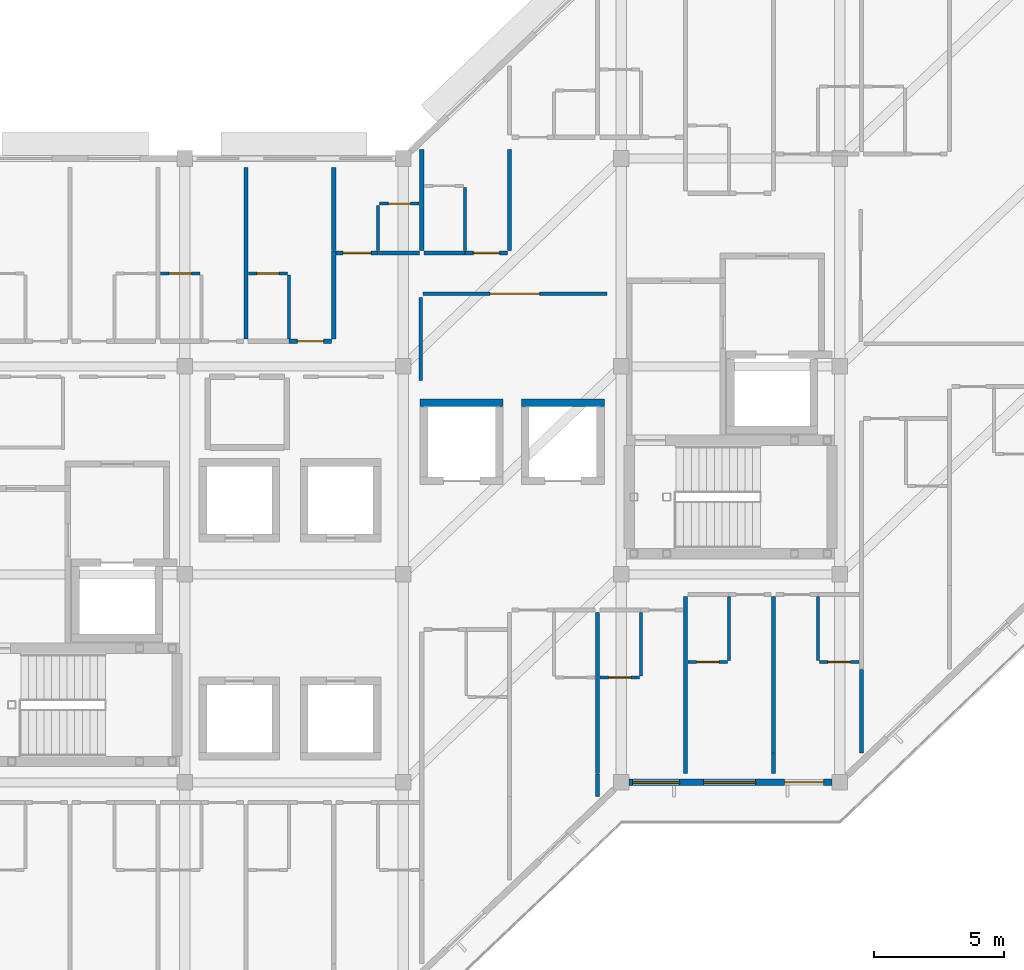
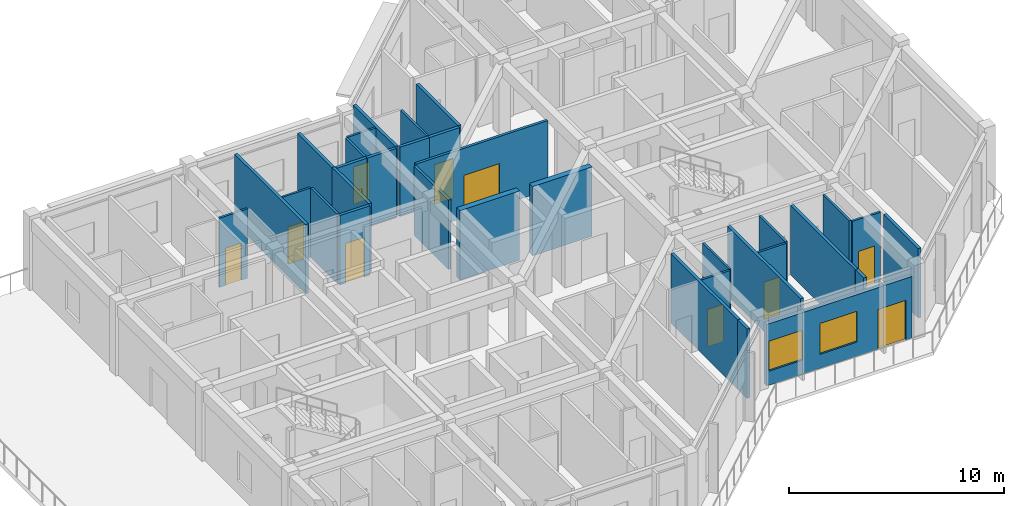
# One storey, part 7 of 13: 33 walls, 11 doors, 2 windows, 13 openings.
"""IFC4 building model written with IfcOpenShell, lengths in metres."""

from ifc_helpers import new_model, si_unit, direction, frame, frame_2d, origin, place, context, subcontext, project, spatial, rectangle, extrude, material, layer, layer_set, type_object, element, fill, save


model = new_model("IFC4")

# Units and contexts
model_context = context("Model", 3, precision=1e-05, world=origin(), true_north=direction((0.0, 1.0)))
body_context = subcontext(model_context, "Body", "Model", "MODEL_VIEW")
ifc_project = project(units=[si_unit("LENGTHUNIT", "METRE"), si_unit("AREAUNIT", "SQUARE_METRE"), si_unit("VOLUMEUNIT", "CUBIC_METRE"), si_unit("PLANEANGLEUNIT", "RADIAN"), si_unit("MASSUNIT", "GRAM", prefix="KILO")], contexts=[model_context])

# Site, building, storey
site_placement = place(None, origin())
site = spatial("IfcSite", under=ifc_project, at=site_placement, CompositionType="ELEMENT")
building_placement = place(site_placement, origin())
building = spatial("IfcBuilding", under=site, at=building_placement, Name="Naruveol Harbour Congress Hotel", CompositionType="ELEMENT")
storey_placement = place(building_placement, frame((0.0, 0.0, 43.199951171875)))
storey = spatial("IfcBuildingStorey", under=building, at=storey_placement, Name="L10", CompositionType="ELEMENT", Elevation=43.199951171875)

# Wall, opening, door
ifc_material_1 = material(Name="Acoustic Double Stud Gypsum", Category="gypsum")
ifc_layer_1 = layer(ifc_material_1, 0.139892578125)
ifc_layer_set_1 = layer_set([ifc_layer_1], Name="Acoustic Double Stud Gypsum")
wall_type_1 = type_object("IfcWallType", Name="ACOUSTIC MEETING PARTITION WALL 140", PredefinedType="PARTITIONING", material=ifc_layer_set_1)
wall_1_placement = place(storey_placement, frame((143.56005859375, 26.800048828125, 0.0), z_axis=(0.0, 0.0, 1.0), x_axis=(1.0, 0.0, 0.0)))
wall_1 = element("IfcWall", 1, at=wall_1_placement, inside=storey, type_object=wall_type_1, Name="Harbour Study Salon north entry wall PW-140", PredefinedType="PARTITIONING", context=body_context, shape_type="SweptSolid", body=[
    extrude(rectangle(XDim=7.079833984375, YDim=0.139892578125, at=frame_2d((3.5400390625, 0.0))), origin(), (0.0, 0.0, 1.0), 3.93505859375),
])
opening_1_placement = place(wall_1_placement, frame((2.590087890625, 0.0, 0.0)))
opening_1 = element("IfcOpeningElement", 2, at=opening_1_placement, cuts=wall_1, Name="Opening ID-LG-137", PredefinedType="OPENING", context=body_context, shape_type="SweptSolid", body=[
    extrude(rectangle(XDim=1.89990234375, YDim=2.39990234375, at=frame_2d((0.949951171875, 1.199951171875))), frame((0.0, 0.079833984375, 0.0), z_axis=(0.0, -1.0, 0.0), x_axis=(1.0, 0.0, 0.0)), (0.0, 0.0, 1.0), 0.159912109375),
])
ifc_material_2 = material(Name="Timber & Steel Acoustic Leaf", Category="steel")
door_type_1 = type_object("IfcDoorType", Name="RESTAURANT AND LOUNGE GLAZED DOOR 1900X2400", OperationType="DOUBLE_DOOR_SINGLE_SWING", PredefinedType="DOOR", material=ifc_material_2)
door_1_placement = place(opening_1_placement, origin())
door_1 = element("IfcDoor", 3, at=door_1_placement, inside=storey, type_object=door_type_1, Name="Harbour Study Salon Entrance Door", OperationType="DOUBLE_DOOR_SINGLE_SWING", OverallHeight=2.39990234375, OverallWidth=1.89990234375, PredefinedType="DOOR", context=body_context, shape_type="SweptSolid", body=[
    extrude(rectangle(XDim=1.89990234375, YDim=2.39990234375, at=frame_2d((0.949951171875, 1.199951171875))), frame((0.0, 0.02490234375, 0.0), z_axis=(0.0, -1.0, 0.0), x_axis=(1.0, 0.0, 0.0)), (0.0, 0.0, 1.0), 0.050048828125),
])
fill(opening_1, door_1)

# Wall
wall_2_placement = place(storey_placement, frame((143.47998046875, 23.449951171875, 0.0), z_axis=(0.0, 0.0, 1.0), x_axis=(0.0, 1.0, 0.0)))
element("IfcWall", 4, at=wall_2_placement, inside=storey, type_object=wall_type_1, Name="Harbour Study Salon west partition PW-140", PredefinedType="PARTITIONING", context=body_context, shape_type="SweptSolid", body=[
    extrude(rectangle(XDim=3.2099609375, YDim=0.139892578125, at=frame_2d((1.60498046875, 0.0))), origin(), (0.0, 0.0, 1.0), 3.93505859375),
])

# Wall, opening, door
ifc_material_3 = material(Name="Moisture-Resistant Gypsum Partition", Category="gypsum")
ifc_layer_2 = layer(ifc_material_3, 0.114990234375)
ifc_layer_set_2 = layer_set([ifc_layer_2], Name="Moisture-Resistant Gypsum Partition")
wall_type_2 = type_object("IfcWallType", Name="BATHROOM MOISTURE PARTITION WALL 115", PredefinedType="PARTITIONING", material=ifc_layer_set_2)
wall_3_placement = place(storey_placement, frame((133.469970703125, 27.570068359375, 0.0), z_axis=(0.0, 0.0, 1.0), x_axis=(1.0, 0.0, 0.0)))
wall_3 = element("IfcWall", 5, at=wall_3_placement, inside=storey, type_object=wall_type_2, Name="Bathroom north wall 1195 PW-115", PredefinedType="PARTITIONING", context=body_context, shape_type="SweptSolid", body=[
    extrude(rectangle(XDim=1.510009765625, YDim=0.114990234375, at=frame_2d((0.7548828125, 0.0))), origin(), (0.0, 0.0, 1.0), 3.93505859375),
])
opening_2_placement = place(wall_3_placement, frame((0.324951171875, 0.0, 0.0)))
opening_2 = element("IfcOpeningElement", 6, at=opening_2_placement, cuts=wall_3, Name="Opening BD-RM1195", PredefinedType="OPENING", context=body_context, shape_type="SweptSolid", body=[
    extrude(rectangle(XDim=0.860107421875, YDim=2.1201171875, at=frame_2d((0.43017578125, 1.06005859375))), frame((0.0, 0.0673828125, 0.0), z_axis=(0.0, -1.0, 0.0), x_axis=(1.0, 0.0, 0.0)), (0.0, 0.0, 1.0), 0.135009765625),
])
ifc_material_4 = material(Name="Timber & Steel Acoustic Leaf", Category="steel")
door_type_2 = type_object("IfcDoorType", Name="GUEST BATHROOM DOOR 860X2120", OperationType="NOTDEFINED", PredefinedType="DOOR", material=ifc_material_4)
door_2_placement = place(opening_2_placement, origin())
door_2 = element("IfcDoor", 7, at=door_2_placement, inside=storey, type_object=door_type_2, Name="Bathroom Door 1195", OperationType="SINGLE_SWING_RIGHT", OverallHeight=2.1201171875, OverallWidth=0.860107421875, PredefinedType="DOOR", context=body_context, shape_type="SweptSolid", body=[
    extrude(rectangle(XDim=0.860107421875, YDim=2.1201171875, at=frame_2d((0.43017578125, 1.06005859375))), frame((0.0, 0.02490234375, 0.0), z_axis=(0.0, -1.0, 0.0), x_axis=(1.0, 0.0, 0.0)), (0.0, 0.0, 1.0), 0.050048828125),
])
fill(opening_2, door_2)

# Wall
wall_4_placement = place(storey_placement, frame((138.419921875, 25.06005859375, 0.0), z_axis=(0.0, 0.0, 1.0), x_axis=(0.0, 1.0, 0.0)))
element("IfcWall", 8, at=wall_4_placement, inside=storey, type_object=wall_type_2, Name="Bathroom east wall 1196 PW-115", PredefinedType="PARTITIONING", context=body_context, shape_type="SweptSolid", body=[
    extrude(rectangle(XDim=2.449951171875, YDim=0.114990234375, at=frame_2d((1.22509765625, 0.0))), origin(), (0.0, 0.0, 1.0), 3.93505859375),
])

# Wall, opening, door
wall_5_placement = place(storey_placement, frame((136.85009765625, 27.570068359375, 0.0), z_axis=(0.0, 0.0, 1.0), x_axis=(1.0, 0.0, 0.0)))
wall_5 = element("IfcWall", 9, at=wall_5_placement, inside=storey, type_object=wall_type_2, Name="Bathroom north wall 1196 PW-115", PredefinedType="PARTITIONING", context=body_context, shape_type="SweptSolid", body=[
    extrude(rectangle(XDim=1.510009765625, YDim=0.114990234375, at=frame_2d((0.7548828125, 0.0))), origin(), (0.0, 0.0, 1.0), 3.93505859375),
])
opening_3_placement = place(wall_5_placement, frame((0.324951171875, 0.0, 0.0)))
opening_3 = element("IfcOpeningElement", 10, at=opening_3_placement, cuts=wall_5, Name="Opening BD-RM1196", PredefinedType="OPENING", context=body_context, shape_type="SweptSolid", body=[
    extrude(rectangle(XDim=0.860107421875, YDim=2.1201171875, at=frame_2d((0.43017578125, 1.06005859375))), frame((0.0, 0.0673828125, 0.0), z_axis=(0.0, -1.0, 0.0), x_axis=(1.0, 0.0, 0.0)), (0.0, 0.0, 1.0), 0.135009765625),
])
door_3_placement = place(opening_3_placement, origin())
door_3 = element("IfcDoor", 11, at=door_3_placement, inside=storey, type_object=door_type_2, Name="Bathroom Door 1196", OperationType="SINGLE_SWING_RIGHT", OverallHeight=2.1201171875, OverallWidth=0.860107421875, PredefinedType="DOOR", context=body_context, shape_type="SweptSolid", body=[
    extrude(rectangle(XDim=0.860107421875, YDim=2.1201171875, at=frame_2d((0.43017578125, 1.06005859375))), frame((0.0, 0.02490234375, 0.0), z_axis=(0.0, -1.0, 0.0), x_axis=(1.0, 0.0, 0.0)), (0.0, 0.0, 1.0), 0.050048828125),
])
fill(opening_3, door_3)

# Wall
wall_6_placement = place(storey_placement, frame((141.840087890625, 28.4599609375, 0.0), z_axis=(0.0, 0.0, 1.0), x_axis=(0.0, 1.0, 0.0)))
element("IfcWall", 12, at=wall_6_placement, inside=storey, type_object=wall_type_2, Name="Bathroom west wall 1197 PW-115", PredefinedType="PARTITIONING", context=body_context, shape_type="SweptSolid", body=[
    extrude(rectangle(XDim=1.739990234375, YDim=0.114990234375, at=frame_2d((0.8701171875, 0.0))), origin(), (0.0, 0.0, 1.0), 3.93505859375),
])

# Wall, opening, door
wall_7_placement = place(storey_placement, frame((141.89990234375, 30.260009765625, 0.0), z_axis=(0.0, 0.0, 1.0), x_axis=(1.0, 0.0, 0.0)))
wall_7 = element("IfcWall", 13, at=wall_7_placement, inside=storey, type_object=wall_type_2, Name="Bathroom north wall 1197 PW-115", PredefinedType="PARTITIONING", context=body_context, shape_type="SweptSolid", body=[
    extrude(rectangle(XDim=1.52001953125, YDim=0.114990234375, at=frame_2d((0.760009765625, 0.0))), origin(), (0.0, 0.0, 1.0), 3.93505859375),
])
opening_4_placement = place(wall_7_placement, frame((0.330078125, 0.0, 0.0)))
opening_4 = element("IfcOpeningElement", 14, at=opening_4_placement, cuts=wall_7, Name="Opening BD-RM1197", PredefinedType="OPENING", context=body_context, shape_type="SweptSolid", body=[
    extrude(rectangle(XDim=0.860107421875, YDim=2.1201171875, at=frame_2d((0.43017578125, 1.06005859375))), frame((0.0, 0.0673828125, 0.0), z_axis=(0.0, -1.0, 0.0), x_axis=(1.0, 0.0, 0.0)), (0.0, 0.0, 1.0), 0.135009765625),
])
door_4_placement = place(opening_4_placement, origin())
door_4 = element("IfcDoor", 15, at=door_4_placement, inside=storey, type_object=door_type_2, Name="Bathroom Door 1197", OperationType="SINGLE_SWING_RIGHT", OverallHeight=2.1201171875, OverallWidth=0.860107421875, PredefinedType="DOOR", context=body_context, shape_type="SweptSolid", body=[
    extrude(rectangle(XDim=0.860107421875, YDim=2.1201171875, at=frame_2d((0.43017578125, 1.06005859375))), frame((0.0, 0.02490234375, 0.0), z_axis=(0.0, -1.0, 0.0), x_axis=(1.0, 0.0, 0.0)), (0.0, 0.0, 1.0), 0.050048828125),
])
fill(opening_4, door_4)

# Walls
wall_8_placement = place(storey_placement, frame((145.18994140625, 28.4599609375, 0.0), z_axis=(0.0, 0.0, 1.0), x_axis=(0.0, 1.0, 0.0)))
element("IfcWall", 16, at=wall_8_placement, inside=storey, type_object=wall_type_2, Name="Bathroom east wall 1198 PW-115", PredefinedType="PARTITIONING", context=body_context, shape_type="SweptSolid", body=[
    extrude(rectangle(XDim=2.429931640625, YDim=0.114990234375, at=frame_2d((1.21484375, 0.0))), origin(), (0.0, 0.0, 1.0), 3.93505859375),
])
wall_9_placement = place(storey_placement, frame((151.9599609375, 12.090087890625, 0.0), z_axis=(0.0, 0.0, 1.0), x_axis=(0.0, 1.0, 0.0)))
element("IfcWall", 17, at=wall_9_placement, inside=storey, type_object=wall_type_2, Name="Bathroom east wall 1188 PW-115", PredefinedType="PARTITIONING", context=body_context, shape_type="SweptSolid", body=[
    extrude(rectangle(XDim=2.449951171875, YDim=0.114990234375, at=frame_2d((1.22509765625, 0.0))), origin(), (0.0, 0.0, 1.0), 3.93505859375),
])

# Wall, opening, door
wall_10_placement = place(storey_placement, frame((150.3798828125, 12.030029296875, 0.0), z_axis=(0.0, 0.0, 1.0), x_axis=(1.0, 0.0, 0.0)))
wall_10 = element("IfcWall", 18, at=wall_10_placement, inside=storey, type_object=wall_type_2, Name="Bathroom south wall 1188 PW-115", PredefinedType="PARTITIONING", context=body_context, shape_type="SweptSolid", body=[
    extrude(rectangle(XDim=1.52001953125, YDim=0.114990234375, at=frame_2d((0.760009765625, 0.0))), origin(), (0.0, 0.0, 1.0), 3.93505859375),
])
opening_5_placement = place(wall_10_placement, frame((0.330078125, 0.0, 0.0)))
opening_5 = element("IfcOpeningElement", 19, at=opening_5_placement, cuts=wall_10, Name="Opening BD-RM1188", PredefinedType="OPENING", context=body_context, shape_type="SweptSolid", body=[
    extrude(rectangle(XDim=0.860107421875, YDim=2.1201171875, at=frame_2d((0.43017578125, 1.06005859375))), frame((0.0, 0.0673828125, 0.0), z_axis=(0.0, -1.0, 0.0), x_axis=(1.0, 0.0, 0.0)), (0.0, 0.0, 1.0), 0.135009765625),
])
door_5_placement = place(opening_5_placement, origin())
door_5 = element("IfcDoor", 20, at=door_5_placement, inside=storey, type_object=door_type_2, Name="Bathroom Door 1188", OperationType="SINGLE_SWING_RIGHT", OverallHeight=2.1201171875, OverallWidth=0.860107421875, PredefinedType="DOOR", context=body_context, shape_type="SweptSolid", body=[
    extrude(rectangle(XDim=0.860107421875, YDim=2.1201171875, at=frame_2d((0.43017578125, 1.06005859375))), frame((0.0, 0.02490234375, 0.0), z_axis=(0.0, -1.0, 0.0), x_axis=(1.0, 0.0, 0.0)), (0.0, 0.0, 1.0), 0.050048828125),
])
fill(opening_5, door_5)

# Wall
wall_11_placement = place(storey_placement, frame((155.340087890625, 12.68994140625, 0.0), z_axis=(0.0, 0.0, 1.0), x_axis=(0.0, 1.0, 0.0)))
element("IfcWall", 21, at=wall_11_placement, inside=storey, type_object=wall_type_2, Name="Bathroom east wall 1189 PW-115", PredefinedType="PARTITIONING", context=body_context, shape_type="SweptSolid", body=[
    extrude(rectangle(XDim=2.449951171875, YDim=0.114990234375, at=frame_2d((1.22509765625, 0.0))), origin(), (0.0, 0.0, 1.0), 3.93505859375),
])

# Wall, opening, door
wall_12_placement = place(storey_placement, frame((153.77001953125, 12.6298828125, 0.0), z_axis=(0.0, 0.0, 1.0), x_axis=(1.0, 0.0, 0.0)))
wall_12 = element("IfcWall", 22, at=wall_12_placement, inside=storey, type_object=wall_type_2, Name="Bathroom south wall 1189 PW-115", PredefinedType="PARTITIONING", context=body_context, shape_type="SweptSolid", body=[
    extrude(rectangle(XDim=1.510009765625, YDim=0.114990234375, at=frame_2d((0.7548828125, 0.0))), origin(), (0.0, 0.0, 1.0), 3.93505859375),
])
opening_6_placement = place(wall_12_placement, frame((0.324951171875, 0.0, 0.0)))
opening_6 = element("IfcOpeningElement", 23, at=opening_6_placement, cuts=wall_12, Name="Opening BD-RM1189", PredefinedType="OPENING", context=body_context, shape_type="SweptSolid", body=[
    extrude(rectangle(XDim=0.860107421875, YDim=2.1201171875, at=frame_2d((0.43017578125, 1.06005859375))), frame((0.0, 0.0673828125, 0.0), z_axis=(0.0, -1.0, 0.0), x_axis=(1.0, 0.0, 0.0)), (0.0, 0.0, 1.0), 0.135009765625),
])
door_6_placement = place(opening_6_placement, origin())
door_6 = element("IfcDoor", 24, at=door_6_placement, inside=storey, type_object=door_type_2, Name="Bathroom Door 1189", OperationType="SINGLE_SWING_RIGHT", OverallHeight=2.1201171875, OverallWidth=0.860107421875, PredefinedType="DOOR", context=body_context, shape_type="SweptSolid", body=[
    extrude(rectangle(XDim=0.860107421875, YDim=2.1201171875, at=frame_2d((0.43017578125, 1.06005859375))), frame((0.0, 0.02490234375, 0.0), z_axis=(0.0, -1.0, 0.0), x_axis=(1.0, 0.0, 0.0)), (0.0, 0.0, 1.0), 0.050048828125),
])
fill(opening_6, door_6)

# Wall
wall_13_placement = place(storey_placement, frame((158.760009765625, 12.68994140625, 0.0), z_axis=(0.0, 0.0, 1.0), x_axis=(0.0, 1.0, 0.0)))
element("IfcWall", 25, at=wall_13_placement, inside=storey, type_object=wall_type_2, Name="Bathroom west wall 1190 PW-115", PredefinedType="PARTITIONING", context=body_context, shape_type="SweptSolid", body=[
    extrude(rectangle(XDim=2.449951171875, YDim=0.114990234375, at=frame_2d((1.22509765625, 0.0))), origin(), (0.0, 0.0, 1.0), 3.93505859375),
])

# Wall, opening, door
wall_14_placement = place(storey_placement, frame((158.820068359375, 12.6298828125, 0.0), z_axis=(0.0, 0.0, 1.0), x_axis=(1.0, 0.0, 0.0)))
wall_14 = element("IfcWall", 26, at=wall_14_placement, inside=storey, type_object=wall_type_2, Name="Bathroom south wall 1190 PW-115", PredefinedType="PARTITIONING", context=body_context, shape_type="SweptSolid", body=[
    extrude(rectangle(XDim=1.510009765625, YDim=0.114990234375, at=frame_2d((0.7548828125, 0.0))), origin(), (0.0, 0.0, 1.0), 3.93505859375),
])
opening_7_placement = place(wall_14_placement, frame((0.324951171875, 0.0, 0.0)))
opening_7 = element("IfcOpeningElement", 27, at=opening_7_placement, cuts=wall_14, Name="Opening BD-RM1190", PredefinedType="OPENING", context=body_context, shape_type="SweptSolid", body=[
    extrude(rectangle(XDim=0.860107421875, YDim=2.1201171875, at=frame_2d((0.43017578125, 1.06005859375))), frame((0.0, 0.0673828125, 0.0), z_axis=(0.0, -1.0, 0.0), x_axis=(1.0, 0.0, 0.0)), (0.0, 0.0, 1.0), 0.135009765625),
])
door_7_placement = place(opening_7_placement, origin())
door_7 = element("IfcDoor", 28, at=door_7_placement, inside=storey, type_object=door_type_2, Name="Bathroom Door 1190", OperationType="SINGLE_SWING_RIGHT", OverallHeight=2.1201171875, OverallWidth=0.860107421875, PredefinedType="DOOR", context=body_context, shape_type="SweptSolid", body=[
    extrude(rectangle(XDim=0.860107421875, YDim=2.1201171875, at=frame_2d((0.43017578125, 1.06005859375))), frame((0.0, 0.02490234375, 0.0), z_axis=(0.0, -1.0, 0.0), x_axis=(1.0, 0.0, 0.0)), (0.0, 0.0, 1.0), 0.050048828125),
])
fill(opening_7, door_7)

ifc_material_5 = material(Name="Autoclaved Aerated Concrete Block", Category="concrete")
ifc_layer_3 = layer(ifc_material_5, 0.159912109375)
ifc_layer_set_3 = layer_set([ifc_layer_3], Name="Autoclaved Aerated Concrete Block")
wall_type_3 = type_object("IfcWallType", Name="HOTEL PARTY AND CORRIDOR WALL 160 EI60", PredefinedType="PARTITIONING", material=ifc_layer_set_3)
wall_15_placement = place(storey_placement, frame((138.419921875, 24.969970703125, 0.0), z_axis=(0.0, 0.0, 1.0), x_axis=(1.0, 0.0, 0.0)))
wall_15 = element("IfcWall", 29, at=wall_15_placement, inside=storey, type_object=wall_type_3, Name="Corridor entry wall 1196 PW-160", PredefinedType="PARTITIONING", context=body_context, shape_type="SweptSolid", body=[
    extrude(rectangle(XDim=1.6201171875, YDim=0.159912109375, at=frame_2d((0.81005859375, 0.0))), origin(), (0.0, 0.0, 1.0), 3.93505859375),
])
opening_8_placement = place(wall_15_placement, frame((0.31005859375, 0.0, 0.0)))
opening_8 = element("IfcOpeningElement", 30, at=opening_8_placement, cuts=wall_15, Name="Opening FD-RM1196", PredefinedType="OPENING", context=body_context, shape_type="SweptSolid", body=[
    extrude(rectangle(XDim=1.0, YDim=2.25, at=frame_2d((0.5, 1.125))), frame((0.0, 0.08984375, 0.0), z_axis=(0.0, -1.0, 0.0), x_axis=(1.0, 0.0, 0.0)), (0.0, 0.0, 1.0), 0.179931640625),
])
ifc_material_6 = material(Name="Timber & Steel Acoustic Leaf", Category="steel")
door_type_3 = type_object("IfcDoorType", Name="DELUXE GUEST ENTRANCE FIRE DOOR 1000X2250", OperationType="NOTDEFINED", PredefinedType="DOOR", material=ifc_material_6)
door_8_placement = place(opening_8_placement, origin())
door_8 = element("IfcDoor", 31, at=door_8_placement, inside=storey, type_object=door_type_3, Name="Hotel Room Door 1196", OperationType="SINGLE_SWING_LEFT", OverallHeight=2.25, OverallWidth=1.0, PredefinedType="DOOR", context=body_context, shape_type="SweptSolid", body=[
    extrude(rectangle(XDim=1.0, YDim=2.25, at=frame_2d((0.5, 1.125))), frame((0.0, 0.02490234375, 0.0), z_axis=(0.0, -1.0, 0.0), x_axis=(1.0, 0.0, 0.0)), (0.0, 0.0, 1.0), 0.050048828125),
])
fill(opening_8, door_8)

# Walls
wall_16_placement = place(storey_placement, frame((136.75, 25.06005859375, 0.0), z_axis=(0.0, 0.0, 1.0), x_axis=(0.0, 1.0, 0.0)))
element("IfcWall", 32, at=wall_16_placement, inside=storey, type_object=wall_type_3, Name="Hotel party wall 1196 PW-160", PredefinedType="PARTITIONING", context=body_context, shape_type="SweptSolid", body=[
    extrude(rectangle(XDim=6.599853515625, YDim=0.159912109375, at=frame_2d((3.2998046875, 0.0))), origin(), (0.0, 0.0, 1.0), 3.93505859375),
])
wall_17_placement = place(storey_placement, frame((140.1298828125, 25.06005859375, 0.0), z_axis=(0.0, 0.0, 1.0), x_axis=(0.0, 1.0, 0.0)))
element("IfcWall", 33, at=wall_17_placement, inside=storey, type_object=wall_type_3, Name="Hotel end party wall 1196 PW-160", PredefinedType="PARTITIONING", context=body_context, shape_type="SweptSolid", body=[
    extrude(rectangle(XDim=3.389892578125, YDim=0.159912109375, at=frame_2d((1.69482421875, 0.0))), origin(), (0.0, 0.0, 1.0), 3.93505859375),
])

# Wall, opening, door
wall_18_placement = place(storey_placement, frame((140.219970703125, 28.3701171875, 0.0), z_axis=(0.0, 0.0, 1.0), x_axis=(1.0, 0.0, 0.0)))
wall_18 = element("IfcWall", 34, at=wall_18_placement, inside=storey, type_object=wall_type_3, Name="Corridor entry wall 1197 PW-160", PredefinedType="PARTITIONING", context=body_context, shape_type="SweptSolid", body=[
    extrude(rectangle(XDim=1.6201171875, YDim=0.159912109375, at=frame_2d((0.81005859375, 0.0))), origin(), (0.0, 0.0, 1.0), 3.93505859375),
])
opening_9_placement = place(wall_18_placement, frame((0.27001953125, 0.0, 0.0)))
opening_9 = element("IfcOpeningElement", 35, at=opening_9_placement, cuts=wall_18, Name="Opening FD-RM1197", PredefinedType="OPENING", context=body_context, shape_type="SweptSolid", body=[
    extrude(rectangle(XDim=1.080078125, YDim=2.300048828125, at=frame_2d((0.5400390625, 1.14990234375))), frame((0.0, 0.08984375, 0.0), z_axis=(0.0, -1.0, 0.0), x_axis=(1.0, 0.0, 0.0)), (0.0, 0.0, 1.0), 0.179931640625),
])
ifc_material_7 = material(Name="Timber & Steel Acoustic Leaf", Category="steel")
door_type_4 = type_object("IfcDoorType", Name="SUITE ENTRANCE FIRE DOOR 1080X2300", OperationType="NOTDEFINED", PredefinedType="DOOR", material=ifc_material_7)
door_9_placement = place(opening_9_placement, origin())
door_9 = element("IfcDoor", 36, at=door_9_placement, inside=storey, type_object=door_type_4, Name="Hotel Room Door 1197", OperationType="SINGLE_SWING_LEFT", OverallHeight=2.300048828125, OverallWidth=1.080078125, PredefinedType="DOOR", context=body_context, shape_type="SweptSolid", body=[
    extrude(rectangle(XDim=1.080078125, YDim=2.300048828125, at=frame_2d((0.5400390625, 1.14990234375))), frame((0.0, 0.02490234375, 0.0), z_axis=(0.0, -1.0, 0.0), x_axis=(1.0, 0.0, 0.0)), (0.0, 0.0, 1.0), 0.050048828125),
])
fill(opening_9, door_9)

# Walls
wall_19_placement = place(storey_placement, frame((141.85009765625, 28.3701171875, 0.0), z_axis=(0.0, 0.0, 1.0), x_axis=(1.0, 0.0, 0.0)))
element("IfcWall", 37, at=wall_19_placement, inside=storey, type_object=wall_type_3, Name="Corridor wall 1197B PW-160", PredefinedType="PARTITIONING", context=body_context, shape_type="SweptSolid", body=[
    extrude(rectangle(XDim=1.579833984375, YDim=0.159912109375, at=frame_2d((0.7900390625, 0.0))), origin(), (0.0, 0.0, 1.0), 3.93505859375),
])
wall_20_placement = place(storey_placement, frame((140.1298828125, 28.4599609375, 0.0), z_axis=(0.0, 0.0, 1.0), x_axis=(0.0, 1.0, 0.0)))
element("IfcWall", 38, at=wall_20_placement, inside=storey, type_object=wall_type_3, Name="Hotel party wall 1197 PW-160", PredefinedType="PARTITIONING", context=body_context, shape_type="SweptSolid", body=[
    extrude(rectangle(XDim=3.199951171875, YDim=0.159912109375, at=frame_2d((1.60009765625, 0.0))), origin(), (0.0, 0.0, 1.0), 3.93505859375),
])
wall_21_placement = place(storey_placement, frame((143.610107421875, 28.3701171875, 0.0), z_axis=(0.0, 0.0, 1.0), x_axis=(1.0, 0.0, 0.0)))
element("IfcWall", 39, at=wall_21_placement, inside=storey, type_object=wall_type_3, Name="Corridor wall 1198B PW-160", PredefinedType="PARTITIONING", context=body_context, shape_type="SweptSolid", body=[
    extrude(rectangle(XDim=1.56982421875, YDim=0.159912109375, at=frame_2d((0.784912109375, 0.0))), origin(), (0.0, 0.0, 1.0), 3.93505859375),
])

# Wall, opening, door
wall_22_placement = place(storey_placement, frame((145.18994140625, 28.3701171875, 0.0), z_axis=(0.0, 0.0, 1.0), x_axis=(1.0, 0.0, 0.0)))
wall_22 = element("IfcWall", 40, at=wall_22_placement, inside=storey, type_object=wall_type_3, Name="Corridor entry wall 1198 PW-160", PredefinedType="PARTITIONING", context=body_context, shape_type="SweptSolid", body=[
    extrude(rectangle(XDim=1.6201171875, YDim=0.159912109375, at=frame_2d((0.81005859375, 0.0))), origin(), (0.0, 0.0, 1.0), 3.93505859375),
])
opening_10_placement = place(wall_22_placement, frame((0.31005859375, 0.0, 0.0)))
opening_10 = element("IfcOpeningElement", 41, at=opening_10_placement, cuts=wall_22, Name="Opening FD-RM1198", PredefinedType="OPENING", context=body_context, shape_type="SweptSolid", body=[
    extrude(rectangle(XDim=1.0, YDim=2.25, at=frame_2d((0.5, 1.125))), frame((0.0, 0.08984375, 0.0), z_axis=(0.0, -1.0, 0.0), x_axis=(1.0, 0.0, 0.0)), (0.0, 0.0, 1.0), 0.179931640625),
])
door_10_placement = place(opening_10_placement, origin())
door_10 = element("IfcDoor", 42, at=door_10_placement, inside=storey, type_object=door_type_3, Name="Hotel Room Door 1198", OperationType="SINGLE_SWING_LEFT", OverallHeight=2.25, OverallWidth=1.0, PredefinedType="DOOR", context=body_context, shape_type="SweptSolid", body=[
    extrude(rectangle(XDim=1.0, YDim=2.25, at=frame_2d((0.5, 1.125))), frame((0.0, 0.02490234375, 0.0), z_axis=(0.0, -1.0, 0.0), x_axis=(1.0, 0.0, 0.0)), (0.0, 0.0, 1.0), 0.050048828125),
])
fill(opening_10, door_10)

# Walls
for number, where, z_axis, x_axis, name in (
    (43, (143.52001953125, 28.4599609375, 0.0), (0.0, 0.0, 1.0), (0.0, 1.0, 0.0), "Hotel party wall 1198 PW-160"),
    (44, (146.89990234375, 28.4599609375, 0.0), (0.0, 0.0, 1.0), (0.0, 1.0, 0.0), "Hotel end party wall 1198 PW-160"),
):
    element("IfcWall", number, at=place(storey_placement, frame(where, z_axis=z_axis, x_axis=x_axis)), inside=storey, type_object=wall_type_3, Name=name, PredefinedType="PARTITIONING", context=body_context, shape_type="SweptSolid", body=[
        extrude(rectangle(XDim=3.89013671875, YDim=0.159912109375, at=frame_2d((1.945068359375, 0.0))), origin(), (0.0, 0.0, 1.0), 3.93505859375),
    ])
wall_23_placement = place(storey_placement, frame((150.280029296875, 7.4599609375, 0.0), z_axis=(0.0, 0.0, 1.0), x_axis=(0.0, 1.0, 0.0)))
element("IfcWall", 45, at=wall_23_placement, inside=storey, type_object=wall_type_3, Name="Hotel end party wall 1187 PW-160", PredefinedType="PARTITIONING", context=body_context, shape_type="SweptSolid", body=[
    extrude(rectangle(XDim=0.8701171875, YDim=0.159912109375, at=frame_2d((0.43505859375, 0.0))), origin(), (0.0, 0.0, 1.0), 3.93505859375),
])
wall_24_placement = place(storey_placement, frame((150.280029296875, 8.340087890625, 0.0), z_axis=(0.0, 0.0, 1.0), x_axis=(0.0, 1.0, 0.0)))
element("IfcWall", 46, at=wall_24_placement, inside=storey, type_object=wall_type_3, Name="Hotel party wall 1188 PW-160", PredefinedType="PARTITIONING", context=body_context, shape_type="SweptSolid", body=[
    extrude(rectangle(XDim=6.199951171875, YDim=0.159912109375, at=frame_2d((3.10009765625, 0.0))), origin(), (0.0, 0.0, 1.0), 3.93505859375),
])
wall_25_placement = place(storey_placement, frame((153.669921875, 8.340087890625, 0.0), z_axis=(0.0, 0.0, 1.0), x_axis=(0.0, 1.0, 0.0)))
element("IfcWall", 47, at=wall_25_placement, inside=storey, type_object=wall_type_3, Name="Hotel party wall 1189 PW-160", PredefinedType="PARTITIONING", context=body_context, shape_type="SweptSolid", body=[
    extrude(rectangle(XDim=6.7998046875, YDim=0.159912109375, at=frame_2d((3.39990234375, 0.0))), origin(), (0.0, 0.0, 1.0), 3.93505859375),
])
wall_26_placement = place(storey_placement, frame((157.050048828125, 8.340087890625, 0.0), z_axis=(0.0, 0.0, 1.0), x_axis=(0.0, 1.0, 0.0)))
element("IfcWall", 48, at=wall_26_placement, inside=storey, type_object=wall_type_3, Name="Hotel end party wall 1189 PW-160", PredefinedType="PARTITIONING", context=body_context, shape_type="SweptSolid", body=[
    extrude(rectangle(XDim=0.780029296875, YDim=0.159912109375, at=frame_2d((0.39013671875, 0.0))), origin(), (0.0, 0.0, 1.0), 3.93505859375),
])
wall_27_placement = place(storey_placement, frame((157.050048828125, 9.1298828125, 0.0), z_axis=(0.0, 0.0, 1.0), x_axis=(0.0, 1.0, 0.0)))
element("IfcWall", 49, at=wall_27_placement, inside=storey, type_object=wall_type_3, Name="Hotel party wall 1190 PW-160", PredefinedType="PARTITIONING", context=body_context, shape_type="SweptSolid", body=[
    extrude(rectangle(XDim=6.010009765625, YDim=0.159912109375, at=frame_2d((3.0048828125, 0.0))), origin(), (0.0, 0.0, 1.0), 3.93505859375),
])
wall_28_placement = place(storey_placement, frame((160.429931640625, 9.1298828125, 0.0), z_axis=(0.0, 0.0, 1.0), x_axis=(0.0, 1.0, 0.0)))
element("IfcWall", 50, at=wall_28_placement, inside=storey, type_object=wall_type_3, Name="Hotel end party wall 1190 PW-160", PredefinedType="PARTITIONING", context=body_context, shape_type="SweptSolid", body=[
    extrude(rectangle(XDim=3.22021484375, YDim=0.159912109375, at=frame_2d((1.610107421875, 0.0))), origin(), (0.0, 0.0, 1.0), 3.93505859375),
])

# Wall, openings, windows, door
ifc_material_8 = material(Name="Concrete C40/50", Category="concrete")
ifc_layer_4 = layer(ifc_material_8, 0.239990234375)
ifc_layer_set_4 = layer_set([ifc_layer_4], Name="Concrete C40/50")
wall_type_4 = type_object("IfcWallType", Name="INSULATED HOTEL SPANDREL WALL 240", PredefinedType="SOLIDWALL", material=ifc_layer_set_4)
wall_29_placement = place(storey_placement, frame((159.300048828125, 8.0, 0.0), z_axis=(0.0, 0.0, 1.0), x_axis=(-1.0, 0.0, 0.0)))
wall_29 = element("IfcWall", 51, at=wall_29_placement, inside=storey, type_object=wall_type_4, Name="Hotel south waterfront wall L10 EW-240", PredefinedType="SOLIDWALL", context=body_context, shape_type="SweptSolid", body=[
    extrude(rectangle(XDim=7.800048828125, YDim=0.239990234375, at=frame_2d((3.89990234375, 0.0))), origin(), (0.0, 0.0, 1.0), 3.489990234375),
])
opening_11_placement = place(wall_29_placement, frame((0.324951171875, 0.0, 0.0)))
opening_11 = element("IfcOpeningElement", 52, at=opening_11_placement, cuts=wall_29, Name="Opening BD-150-076", PredefinedType="OPENING", context=body_context, shape_type="SweptSolid", body=[
    extrude(rectangle(XDim=1.5, YDim=2.25, at=frame_2d((0.75, 1.125))), frame((0.0, 0.1298828125, 0.0), z_axis=(0.0, -1.0, 0.0), x_axis=(1.0, 0.0, 0.0)), (0.0, 0.0, 1.0), 0.260009765625),
])
opening_12_placement = place(wall_29_placement, frame((2.93994140625, 0.0, 0.800048828125)))
opening_12 = element("IfcOpeningElement", 53, at=opening_12_placement, cuts=wall_29, Name="Opening W-05", PredefinedType="OPENING", context=body_context, shape_type="SweptSolid", body=[
    extrude(rectangle(XDim=2.0, YDim=1.75, at=frame_2d((1.0, 0.875))), frame((0.0, 0.1298828125, 0.0), z_axis=(0.0, -1.0, 0.0), x_axis=(1.0, 0.0, 0.0)), (0.0, 0.0, 1.0), 0.260009765625),
])
opening_13_placement = place(wall_29_placement, frame((5.864990234375, 0.0, 0.800048828125)))
opening_13 = element("IfcOpeningElement", 54, at=opening_13_placement, cuts=wall_29, Name="Opening W-04", PredefinedType="OPENING", context=body_context, shape_type="SweptSolid", body=[
    extrude(rectangle(XDim=1.800048828125, YDim=1.699951171875, at=frame_2d((0.89990234375, 0.85009765625))), frame((0.0, 0.1298828125, 0.0), z_axis=(0.0, -1.0, 0.0), x_axis=(1.0, 0.0, 0.0)), (0.0, 0.0, 1.0), 0.260009765625),
])
ifc_material_9 = material(Name="Low-E Triple Glazing in Thermal Aluminium", Category="aluminium")
window_type_1 = type_object("IfcWindowType", Name="DELUXE PANORAMA WINDOW 1800X1700", PartitioningType="DOUBLE_PANEL_VERTICAL", PredefinedType="WINDOW", material=ifc_material_9)
window_1_placement = place(opening_13_placement, origin())
window_1 = element("IfcWindow", 55, at=window_1_placement, inside=storey, type_object=window_type_1, Name="Window W-04 #491", OverallHeight=1.699951171875, OverallWidth=1.800048828125, PartitioningType="DOUBLE_PANEL_VERTICAL", PredefinedType="WINDOW", context=body_context, shape_type="SweptSolid", body=[
    extrude(rectangle(XDim=1.800048828125, YDim=1.699951171875, at=frame_2d((0.89990234375, 0.85009765625))), frame((0.0, 0.030029296875, 0.0), z_axis=(0.0, -1.0, 0.0), x_axis=(1.0, 0.0, 0.0)), (0.0, 0.0, 1.0), 0.06005859375),
])
fill(opening_13, window_1)
ifc_material_10 = material(Name="Low-E Triple Glazing in Thermal Aluminium", Category="aluminium")
window_type_2 = type_object("IfcWindowType", Name="GARDEN SUITE WINDOW 2000X1750", PartitioningType="DOUBLE_PANEL_VERTICAL", PredefinedType="WINDOW", material=ifc_material_10)
window_2_placement = place(opening_12_placement, origin())
window_2 = element("IfcWindow", 56, at=window_2_placement, inside=storey, type_object=window_type_2, Name="Window W-05 #490", OverallHeight=1.75, OverallWidth=2.0, PartitioningType="DOUBLE_PANEL_VERTICAL", PredefinedType="WINDOW", context=body_context, shape_type="SweptSolid", body=[
    extrude(rectangle(XDim=2.0, YDim=1.75, at=frame_2d((1.0, 0.875))), frame((0.0, 0.030029296875, 0.0), z_axis=(0.0, -1.0, 0.0), x_axis=(1.0, 0.0, 0.0)), (0.0, 0.0, 1.0), 0.06005859375),
])
fill(opening_12, window_2)
ifc_material_11 = material(Name="Powder-Coated Steel & Insulated Glazing", Category="steel")
door_type_5 = type_object("IfcDoorType", Name="SUITE BALCONY SLIDING DOOR 1500X2250", OperationType="SLIDING_TO_LEFT", PredefinedType="DOOR", material=ifc_material_11)
door_11_placement = place(opening_11_placement, origin())
door_11 = element("IfcDoor", 57, at=door_11_placement, inside=storey, type_object=door_type_5, Name="Exterior door BD-150-076", OperationType="SLIDING_TO_LEFT", OverallHeight=2.25, OverallWidth=1.5, PredefinedType="DOOR", context=body_context, shape_type="SweptSolid", body=[
    extrude(rectangle(XDim=1.5, YDim=2.25, at=frame_2d((0.75, 1.125))), frame((0.0, 0.02490234375, 0.0), z_axis=(0.0, -1.0, 0.0), x_axis=(1.0, 0.0, 0.0)), (0.0, 0.0, 1.0), 0.050048828125),
])
fill(opening_11, door_11)

# Walls
ifc_material_12 = material(Name="Concrete C50/60", Category="concrete")
ifc_layer_5 = layer(ifc_material_12, 0.300048828125)
ifc_layer_set_5 = layer_set([ifc_layer_5], Name="Concrete C50/60")
wall_type_5 = type_object("IfcWallType", Name="RC STAIR AND HOISTWAY SHEAR WALL 300 EI120", PredefinedType="SHEAR", material=ifc_layer_set_5)
for number, where, z_axis, x_axis, name in (
    (58, (146.64990234375, 22.60009765625, 0.0), (0.0, 0.0, 1.0), (-1.0, 0.0, 0.0), "Hoistway north shear wall GL1 SW-300"),
    (59, (150.550048828125, 22.60009765625, 0.0), (0.0, 0.0, 1.0), (-1.0, 0.0, 0.0), "Hoistway north shear wall GL2 SW-300"),
):
    element("IfcWall", number, at=place(storey_placement, frame(where, z_axis=z_axis, x_axis=x_axis)), inside=storey, type_object=wall_type_5, Name=name, PredefinedType="SHEAR", context=body_context, shape_type="SweptSolid", body=[
        extrude(rectangle(XDim=3.199951171875, YDim=0.300048828125, at=frame_2d((1.60009765625, 0.0))), origin(), (0.0, 0.0, 1.0), 3.93505859375),
    ])

save(model, "model.ifc")
